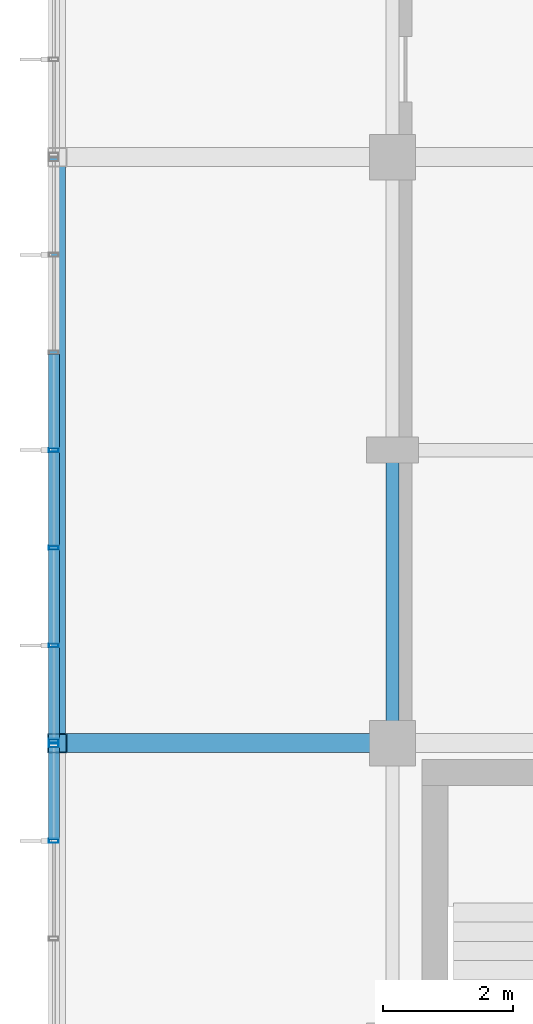
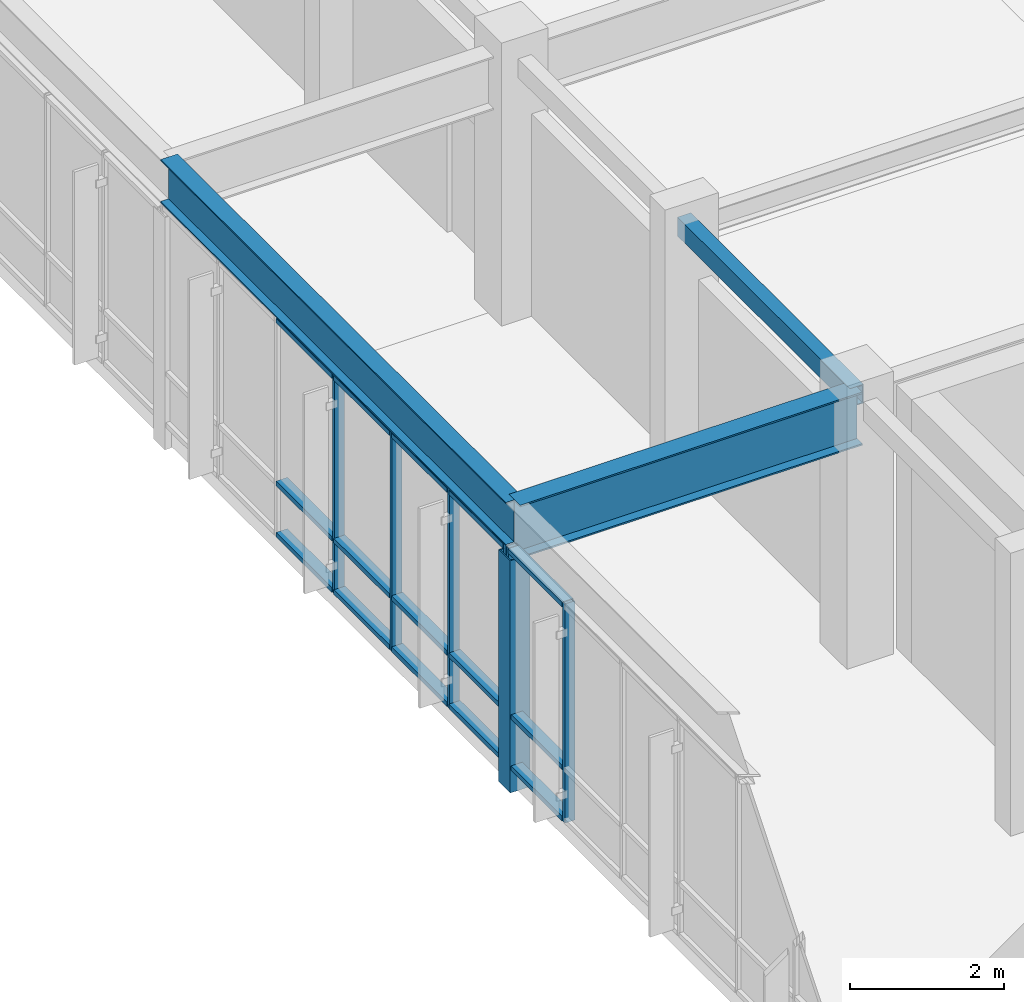
# One storey, part 16 of 55: 22 members, 3 beams, 2 elements without a shape of their own.
"""IFC4 building model written with IfcOpenShell, lengths in metres."""

from ifc_helpers import new_model, si_unit, direction, frame, origin, origin_2d, place, context, subcontext, project, spatial, hollow_rectangle, i_section, extrude, material, layer, layer_set, material_profile, profile_set, type_object, element, aggregate, save


model = new_model("IFC4")

# Units and contexts
model_context = context("Model", 3, precision=1e-05, world=origin(), true_north=direction((0.0, 1.0)))
body_context = subcontext(model_context, "Body", "Model", "MODEL_VIEW")
ifc_project = project(units=[si_unit("LENGTHUNIT", "METRE"), si_unit("AREAUNIT", "SQUARE_METRE"), si_unit("VOLUMEUNIT", "CUBIC_METRE"), si_unit("PLANEANGLEUNIT", "RADIAN"), si_unit("MASSUNIT", "GRAM", prefix="KILO")], contexts=[model_context])

# Site, building, storey
site_placement = place(None, origin())
site = spatial("IfcSite", under=ifc_project, at=site_placement, CompositionType="ELEMENT")
building_placement = place(site_placement, origin())
building = spatial("IfcBuilding", under=site, at=building_placement, Name="Ventoquebrada Cableway Terminal", CompositionType="ELEMENT")
storey_placement = place(building_placement, frame((0.0, 0.0, 14.39990234375)))
storey = spatial("IfcBuildingStorey", under=building, at=storey_placement, Name="L03", CompositionType="ELEMENT", Elevation=14.39990234375)

# Beams
ifc_material_1 = material(Name="Steel ASTM A992 Grade 50", Category="steel")
ifc_material_profile_1 = material_profile(ifc_material_1, i_section(OverallWidth=0.25390625, OverallDepth=0.68798828125, WebThickness=0.01318359375, FlangeThickness=0.02099609375, at=origin_2d()), Name="W27X102")
ifc_profile_set_1 = profile_set([ifc_material_profile_1], Name="Steel ASTM A992 Grade 50")
beam_type_1 = type_object("IfcBeamType", Name="BM-ST04", PredefinedType="BEAM", material=ifc_profile_set_1)
beam_1_placement = place(storey_placement, frame((3.050048828125, 86.0, 3.821044921875), z_axis=(0.0, 1.0, 0.0), x_axis=(-1.0, 0.0, 0.0)))
element("IfcBeam", 1, at=beam_1_placement, inside=storey, type_object=beam_type_1, Name="Cantilever edge girder CB-016", PredefinedType="BEAM", context=body_context, shape_type="SweptSolid", body=[
    extrude(i_section(OverallWidth=0.25390625, OverallDepth=0.68798828125, WebThickness=0.01318359375, FlangeThickness=0.02099609375, at=origin_2d()), origin(), (0.0, 0.0, 1.0), 9.0),
])
ifc_material_profile_2 = material_profile(ifc_material_1, i_section(OverallWidth=0.2919921875, OverallDepth=0.845947265625, WebThickness=0.015380859375, FlangeThickness=0.0244140625, at=origin_2d()), Name="W33X141")
ifc_profile_set_2 = profile_set([ifc_material_profile_2], Name="Steel ASTM A992 Grade 50")
beam_type_2 = type_object("IfcBeamType", Name="BM-ST06", PredefinedType="BEAM", material=ifc_profile_set_2)
beam_2_placement = place(storey_placement, frame((3.050048828125, 86.0, 3.7421875), z_axis=(1.0, 0.0, 0.0), x_axis=(0.0, 1.0, 0.0)))
element("IfcBeam", 2, at=beam_2_placement, inside=storey, type_object=beam_type_2, Name="Cantilever belvedere girder CB-011", PredefinedType="BEAM", context=body_context, shape_type="SweptSolid", body=[
    extrude(i_section(OverallWidth=0.2919921875, OverallDepth=0.845947265625, WebThickness=0.015380859375, FlangeThickness=0.0244140625, at=origin_2d()), origin(), (0.0, 0.0, 1.0), 5.14990234375),
])

# Curtain wall, members
ifc_material_2 = material(Name="Anodized thermally-broken aluminium", Category="aluminium")
ifc_layer = layer(ifc_material_2, 0.159912109375)
ifc_layer_set = layer_set([ifc_layer], Name="Anodized thermally-broken aluminium")
curtain_wall_type = type_object("IfcCurtainWallType", Name="CW-T22", PredefinedType="USERDEFINED", material=ifc_layer_set)
curtain_wall_1_placement = place(storey_placement, origin())
curtain_wall_1 = element("IfcCurtainWall", 3, at=curtain_wall_1_placement, inside=storey, type_object=curtain_wall_type, Name="Unitised glazed curtain wall CW-056", ObjectType="UNITISED CURTAIN WALL", PredefinedType="USERDEFINED")
ifc_material_profile_3 = material_profile(ifc_material_2, hollow_rectangle(XDim=0.06005859375, YDim=0.14990234375, WallThickness=0.00390625, at=origin_2d()), Name="CW-MUL-60X150")
ifc_profile_set_3 = profile_set([ifc_material_profile_3], Name="Anodized thermally-broken aluminium")
member_type_1 = type_object("IfcMemberType", Name="CWM-03", PredefinedType="MULLION", material=ifc_profile_set_3)
member_1_placement = place(storey_placement, frame((3.0, 85.965087890625, -0.0078125), z_axis=(0.0, 0.0, 1.0), x_axis=(0.0, -1.0, 0.0)))
member_1 = element("IfcMember", 4, at=member_1_placement, type_object=member_type_1, Name="Curtain wall mullion FML-0248", PredefinedType="MULLION", context=body_context, shape_type="SweptSolid", body=[
    extrude(hollow_rectangle(XDim=0.06005859375, YDim=0.14990234375, WallThickness=0.00390625, at=origin_2d()), origin(), (0.0, 0.0, 1.0), 3.48486328125),
])
member_2_placement = place(storey_placement, frame((3.0, 84.5, -0.0078125), z_axis=(0.0, 0.0, 1.0), x_axis=(0.0, -1.0, 0.0)))
member_2 = element("IfcMember", 5, at=member_2_placement, type_object=member_type_1, Name="Curtain wall mullion FML-0249", PredefinedType="MULLION", context=body_context, shape_type="SweptSolid", body=[
    extrude(hollow_rectangle(XDim=0.06005859375, YDim=0.14990234375, WallThickness=0.00390625, at=origin_2d()), origin(), (0.0, 0.0, 1.0), 3.48486328125),
])

curtain_wall_2_placement = place(storey_placement, origin())
curtain_wall_2 = element("IfcCurtainWall", 6, at=curtain_wall_2_placement, inside=storey, type_object=curtain_wall_type, Name="Unitised glazed curtain wall CW-057", ObjectType="UNITISED CURTAIN WALL", PredefinedType="USERDEFINED")
member_3_placement = place(storey_placement, frame((3.0, 90.5, -0.0078125), z_axis=(0.0, 0.0, 1.0), x_axis=(0.0, -1.0, 0.0)))
member_3 = element("IfcMember", 7, at=member_3_placement, type_object=member_type_1, Name="Curtain wall mullion FML-0258", PredefinedType="MULLION", context=body_context, shape_type="SweptSolid", body=[
    extrude(hollow_rectangle(XDim=0.06005859375, YDim=0.14990234375, WallThickness=0.00390625, at=origin_2d()), origin(), (0.0, 0.0, 1.0), 3.48486328125),
])
member_4_placement = place(storey_placement, frame((3.0, 89.0, -0.0078125), z_axis=(0.0, 0.0, 1.0), x_axis=(0.0, -1.0, 0.0)))
member_4 = element("IfcMember", 8, at=member_4_placement, type_object=member_type_1, Name="Curtain wall mullion FML-0259", PredefinedType="MULLION", context=body_context, shape_type="SweptSolid", body=[
    extrude(hollow_rectangle(XDim=0.06005859375, YDim=0.14990234375, WallThickness=0.00390625, at=origin_2d()), origin(), (0.0, 0.0, 1.0), 3.48486328125),
])
member_5_placement = place(storey_placement, frame((3.0, 87.5, -0.0078125), z_axis=(0.0, 0.0, 1.0), x_axis=(0.0, -1.0, 0.0)))
member_5 = element("IfcMember", 9, at=member_5_placement, type_object=member_type_1, Name="Curtain wall mullion FML-0260", PredefinedType="MULLION", context=body_context, shape_type="SweptSolid", body=[
    extrude(hollow_rectangle(XDim=0.06005859375, YDim=0.14990234375, WallThickness=0.00390625, at=origin_2d()), origin(), (0.0, 0.0, 1.0), 3.48486328125),
])
member_6_placement = place(storey_placement, frame((3.0, 86.034912109375, -0.0078125), z_axis=(0.0, 0.0, 1.0), x_axis=(0.0, -1.0, 0.0)))
member_6 = element("IfcMember", 10, at=member_6_placement, type_object=member_type_1, Name="Curtain wall mullion FML-0261", PredefinedType="MULLION", context=body_context, shape_type="SweptSolid", body=[
    extrude(hollow_rectangle(XDim=0.06005859375, YDim=0.14990234375, WallThickness=0.00390625, at=origin_2d()), origin(), (0.0, 0.0, 1.0), 3.48486328125),
])

# Member
ifc_material_profile_4 = material_profile(ifc_material_2, hollow_rectangle(XDim=0.074951171875, YDim=0.169921875, WallThickness=0.00439453125, at=origin_2d()), Name="CW-TRN-75X170")
ifc_profile_set_4 = profile_set([ifc_material_profile_4], Name="Anodized thermally-broken aluminium")
member_type_2 = type_object("IfcMemberType", Name="CWT-03", PredefinedType="USERDEFINED", material=ifc_profile_set_4)
member_7_placement = place(storey_placement, frame((3.0, 85.93994140625, 0.03515625), z_axis=(0.0, -1.0, 0.0), x_axis=(0.0, 0.0, 1.0)))
member_7 = element("IfcMember", 11, at=member_7_placement, type_object=member_type_2, Name="Curtain wall transom FTR-0738", ObjectType="TRANSOM", PredefinedType="USERDEFINED", context=body_context, shape_type="SweptSolid", body=[
    extrude(hollow_rectangle(XDim=0.074951171875, YDim=0.169921875, WallThickness=0.00439453125, at=origin_2d()), origin(), (0.0, 0.0, 1.0), 1.4150390625),
])

member_8_placement = place(storey_placement, frame((3.0, 85.93994140625, 0.85009765625), z_axis=(0.0, -1.0, 0.0), x_axis=(0.0, 0.0, 1.0)))
member_8 = element("IfcMember", 12, at=member_8_placement, type_object=member_type_2, Name="Curtain wall transom FTR-0739", ObjectType="TRANSOM", PredefinedType="USERDEFINED", context=body_context, shape_type="SweptSolid", body=[
    extrude(hollow_rectangle(XDim=0.074951171875, YDim=0.169921875, WallThickness=0.00439453125, at=origin_2d()), origin(), (0.0, 0.0, 1.0), 1.4150390625),
])

member_9_placement = place(storey_placement, frame((3.0, 85.93994140625, 3.43701171875), z_axis=(0.0, -1.0, 0.0), x_axis=(0.0, 0.0, 1.0)))
member_9 = element("IfcMember", 13, at=member_9_placement, type_object=member_type_2, Name="Curtain wall transom FTR-0740", ObjectType="TRANSOM", PredefinedType="USERDEFINED", context=body_context, shape_type="SweptSolid", body=[
    extrude(hollow_rectangle(XDim=0.074951171875, YDim=0.169921875, WallThickness=0.00439453125, at=origin_2d()), origin(), (0.0, 0.0, 1.0), 1.4150390625),
])

aggregate(curtain_wall_1, [member_1, member_2, member_7, member_8, member_9])

member_10_placement = place(storey_placement, frame((3.0, 91.97509765625, 0.03515625), z_axis=(0.0, -1.0, 0.0), x_axis=(0.0, 0.0, 1.0)))
member_10 = element("IfcMember", 14, at=member_10_placement, type_object=member_type_2, Name="Curtain wall transom FTR-0762", ObjectType="TRANSOM", PredefinedType="USERDEFINED", context=body_context, shape_type="SweptSolid", body=[
    extrude(hollow_rectangle(XDim=0.074951171875, YDim=0.169921875, WallThickness=0.00439453125, at=origin_2d()), origin(), (0.0, 0.0, 1.0), 1.4501953125),
])

member_11_placement = place(storey_placement, frame((3.0, 91.97509765625, 0.85009765625), z_axis=(0.0, -1.0, 0.0), x_axis=(0.0, 0.0, 1.0)))
member_11 = element("IfcMember", 15, at=member_11_placement, type_object=member_type_2, Name="Curtain wall transom FTR-0763", ObjectType="TRANSOM", PredefinedType="USERDEFINED", context=body_context, shape_type="SweptSolid", body=[
    extrude(hollow_rectangle(XDim=0.074951171875, YDim=0.169921875, WallThickness=0.00439453125, at=origin_2d()), origin(), (0.0, 0.0, 1.0), 1.4501953125),
])

member_12_placement = place(storey_placement, frame((3.0, 91.97509765625, 3.43701171875), z_axis=(0.0, -1.0, 0.0), x_axis=(0.0, 0.0, 1.0)))
member_12 = element("IfcMember", 16, at=member_12_placement, type_object=member_type_2, Name="Curtain wall transom FTR-0764", ObjectType="TRANSOM", PredefinedType="USERDEFINED", context=body_context, shape_type="SweptSolid", body=[
    extrude(hollow_rectangle(XDim=0.074951171875, YDim=0.169921875, WallThickness=0.00439453125, at=origin_2d()), origin(), (0.0, 0.0, 1.0), 1.4501953125),
])

member_13_placement = place(storey_placement, frame((3.0, 90.47509765625, 0.03515625), z_axis=(0.0, -1.0, 0.0), x_axis=(0.0, 0.0, 1.0)))
member_13 = element("IfcMember", 17, at=member_13_placement, type_object=member_type_2, Name="Curtain wall transom FTR-0765", ObjectType="TRANSOM", PredefinedType="USERDEFINED", context=body_context, shape_type="SweptSolid", body=[
    extrude(hollow_rectangle(XDim=0.074951171875, YDim=0.169921875, WallThickness=0.00439453125, at=origin_2d()), origin(), (0.0, 0.0, 1.0), 1.4501953125),
])

member_14_placement = place(storey_placement, frame((3.0, 90.47509765625, 0.85009765625), z_axis=(0.0, -1.0, 0.0), x_axis=(0.0, 0.0, 1.0)))
member_14 = element("IfcMember", 18, at=member_14_placement, type_object=member_type_2, Name="Curtain wall transom FTR-0766", ObjectType="TRANSOM", PredefinedType="USERDEFINED", context=body_context, shape_type="SweptSolid", body=[
    extrude(hollow_rectangle(XDim=0.074951171875, YDim=0.169921875, WallThickness=0.00439453125, at=origin_2d()), origin(), (0.0, 0.0, 1.0), 1.4501953125),
])

member_15_placement = place(storey_placement, frame((3.0, 90.47509765625, 3.43701171875), z_axis=(0.0, -1.0, 0.0), x_axis=(0.0, 0.0, 1.0)))
member_15 = element("IfcMember", 19, at=member_15_placement, type_object=member_type_2, Name="Curtain wall transom FTR-0767", ObjectType="TRANSOM", PredefinedType="USERDEFINED", context=body_context, shape_type="SweptSolid", body=[
    extrude(hollow_rectangle(XDim=0.074951171875, YDim=0.169921875, WallThickness=0.00439453125, at=origin_2d()), origin(), (0.0, 0.0, 1.0), 1.4501953125),
])

member_16_placement = place(storey_placement, frame((3.0, 88.97509765625, 0.03515625), z_axis=(0.0, -1.0, 0.0), x_axis=(0.0, 0.0, 1.0)))
member_16 = element("IfcMember", 20, at=member_16_placement, type_object=member_type_2, Name="Curtain wall transom FTR-0768", ObjectType="TRANSOM", PredefinedType="USERDEFINED", context=body_context, shape_type="SweptSolid", body=[
    extrude(hollow_rectangle(XDim=0.074951171875, YDim=0.169921875, WallThickness=0.00439453125, at=origin_2d()), origin(), (0.0, 0.0, 1.0), 1.4501953125),
])

member_17_placement = place(storey_placement, frame((3.0, 88.97509765625, 0.85009765625), z_axis=(0.0, -1.0, 0.0), x_axis=(0.0, 0.0, 1.0)))
member_17 = element("IfcMember", 21, at=member_17_placement, type_object=member_type_2, Name="Curtain wall transom FTR-0769", ObjectType="TRANSOM", PredefinedType="USERDEFINED", context=body_context, shape_type="SweptSolid", body=[
    extrude(hollow_rectangle(XDim=0.074951171875, YDim=0.169921875, WallThickness=0.00439453125, at=origin_2d()), origin(), (0.0, 0.0, 1.0), 1.4501953125),
])

member_18_placement = place(storey_placement, frame((3.0, 88.97509765625, 3.43701171875), z_axis=(0.0, -1.0, 0.0), x_axis=(0.0, 0.0, 1.0)))
member_18 = element("IfcMember", 22, at=member_18_placement, type_object=member_type_2, Name="Curtain wall transom FTR-0770", ObjectType="TRANSOM", PredefinedType="USERDEFINED", context=body_context, shape_type="SweptSolid", body=[
    extrude(hollow_rectangle(XDim=0.074951171875, YDim=0.169921875, WallThickness=0.00439453125, at=origin_2d()), origin(), (0.0, 0.0, 1.0), 1.4501953125),
])

member_19_placement = place(storey_placement, frame((3.0, 87.47509765625, 0.03515625), z_axis=(0.0, -1.0, 0.0), x_axis=(0.0, 0.0, 1.0)))
member_19 = element("IfcMember", 23, at=member_19_placement, type_object=member_type_2, Name="Curtain wall transom FTR-0771", ObjectType="TRANSOM", PredefinedType="USERDEFINED", context=body_context, shape_type="SweptSolid", body=[
    extrude(hollow_rectangle(XDim=0.074951171875, YDim=0.169921875, WallThickness=0.00439453125, at=origin_2d()), origin(), (0.0, 0.0, 1.0), 1.4150390625),
])

member_20_placement = place(storey_placement, frame((3.0, 87.47509765625, 0.85009765625), z_axis=(0.0, -1.0, 0.0), x_axis=(0.0, 0.0, 1.0)))
member_20 = element("IfcMember", 24, at=member_20_placement, type_object=member_type_2, Name="Curtain wall transom FTR-0772", ObjectType="TRANSOM", PredefinedType="USERDEFINED", context=body_context, shape_type="SweptSolid", body=[
    extrude(hollow_rectangle(XDim=0.074951171875, YDim=0.169921875, WallThickness=0.00439453125, at=origin_2d()), origin(), (0.0, 0.0, 1.0), 1.4150390625),
])

member_21_placement = place(storey_placement, frame((3.0, 87.47509765625, 3.43701171875), z_axis=(0.0, -1.0, 0.0), x_axis=(0.0, 0.0, 1.0)))
member_21 = element("IfcMember", 25, at=member_21_placement, type_object=member_type_2, Name="Curtain wall transom FTR-0773", ObjectType="TRANSOM", PredefinedType="USERDEFINED", context=body_context, shape_type="SweptSolid", body=[
    extrude(hollow_rectangle(XDim=0.074951171875, YDim=0.169921875, WallThickness=0.00439453125, at=origin_2d()), origin(), (0.0, 0.0, 1.0), 1.4150390625),
])

aggregate(curtain_wall_2, [member_3, member_4, member_5, member_6, member_10, member_11, member_12, member_13, member_14, member_15, member_16, member_17, member_18, member_19, member_20, member_21])

ifc_material_3 = material(Name="Steel ASTM A500 Grade C", Category="steel")
ifc_material_profile_5 = material_profile(ifc_material_3, hollow_rectangle(XDim=0.300048828125, YDim=0.300048828125, WallThickness=0.01611328125, at=origin_2d()), Name="HSS300X300X16")
ifc_profile_set_5 = profile_set([ifc_material_profile_5], Name="Steel ASTM A500 Grade C")
member_type_3 = type_object("IfcMemberType", Name="PST-GS01", PredefinedType="STRUT", material=ifc_profile_set_5)
member_22_placement = place(storey_placement, frame((3.050048828125, 86.0, -0.35498046875), z_axis=(0.0, 0.0, 1.0), x_axis=(1.0, 0.0, 0.0)))
element("IfcMember", 26, at=member_22_placement, inside=storey, type_object=member_type_3, Name="Belvedere facade support post FPS-001", PredefinedType="STRUT", context=body_context, shape_type="SweptSolid", body=[
    extrude(hollow_rectangle(XDim=0.300048828125, YDim=0.300048828125, WallThickness=0.01611328125, at=origin_2d()), origin(), (0.0, 0.0, 1.0), 3.694091796875),
])

# Beam
ifc_material_profile_6 = material_profile(ifc_material_3, hollow_rectangle(XDim=0.199951171875, YDim=0.300048828125, WallThickness=0.012451171875, at=origin_2d()), Name="RHS300X200X12.5")
ifc_profile_set_6 = profile_set([ifc_material_profile_6], Name="Steel ASTM A500 Grade C")
beam_type_3 = type_object("IfcBeamType", Name="SP-ST02", PredefinedType="SPANDREL", material=ifc_profile_set_6)
beam_3_placement = place(storey_placement, frame((8.199951171875, 86.0, 4.01513671875), z_axis=(0.0, 1.0, 0.0), x_axis=(-1.0, 0.0, 0.0)))
element("IfcBeam", 27, at=beam_3_placement, inside=storey, type_object=beam_type_3, Name="Perimeter spandrel beam FBM-0509", PredefinedType="SPANDREL", context=body_context, shape_type="SweptSolid", body=[
    extrude(hollow_rectangle(XDim=0.199951171875, YDim=0.300048828125, WallThickness=0.012451171875, at=origin_2d()), origin(), (0.0, 0.0, 1.0), 4.5),
])

save(model, "model.ifc")
